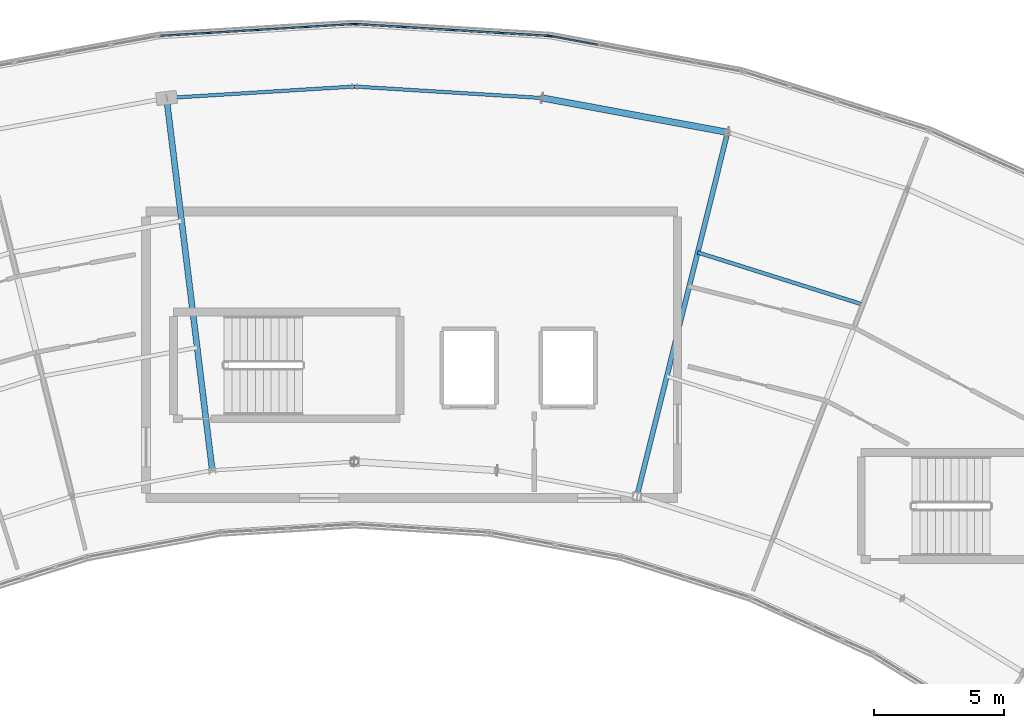
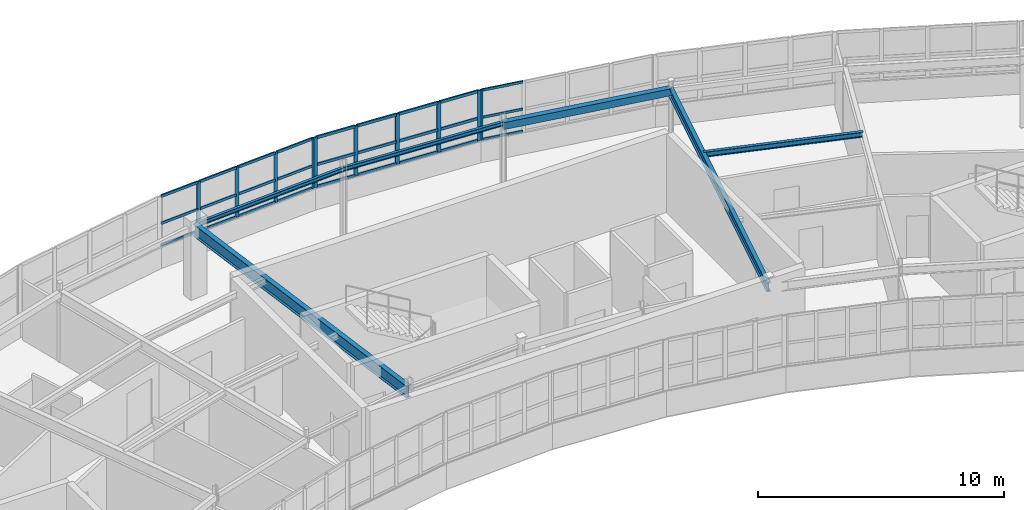
# One storey, part 32 of 60: 37 members, 6 beams, 3 elements without a shape of their own.
"""IFC4 building model written with IfcOpenShell, lengths in metres."""

from ifc_helpers import new_model, si_unit, direction, frame, origin, origin_2d, place, context, subcontext, project, spatial, rectangle, hollow_rectangle, i_section, extrude, material, layer, layer_set, material_profile, profile_set, type_object, element, aggregate, save


model = new_model("IFC4")

# Units and contexts
model_context = context("Model", 3, precision=1e-05, world=origin(), true_north=direction((0.0, 1.0)))
body_context = subcontext(model_context, "Body", "Model", "MODEL_VIEW")
ifc_project = project(units=[si_unit("LENGTHUNIT", "METRE"), si_unit("AREAUNIT", "SQUARE_METRE"), si_unit("VOLUMEUNIT", "CUBIC_METRE"), si_unit("PLANEANGLEUNIT", "RADIAN"), si_unit("MASSUNIT", "GRAM", prefix="KILO")], contexts=[model_context])

# Site, building, storey
site_placement = place(None, origin())
site = spatial("IfcSite", under=ifc_project, at=site_placement, CompositionType="ELEMENT")
building_placement = place(site_placement, origin())
building = spatial("IfcBuilding", under=site, at=building_placement, Name="Tarnwether General Hospital", CompositionType="ELEMENT")
storey_placement = place(building_placement, frame((0.0, 0.0, 26.10009765625)))
storey = spatial("IfcBuildingStorey", under=building, at=storey_placement, Name="L06", CompositionType="ELEMENT", Elevation=26.10009765625)

# Beams
ifc_material_1 = material(Name="Steel Grade 350 (350 MPa)", Category="steel")
ifc_material_profile_1 = material_profile(ifc_material_1, i_section(OverallWidth=0.22802734375, OverallDepth=0.60205078125, WebThickness=0.010498046875, FlangeThickness=0.014892578125, at=origin_2d()), Name="610UB101")
ifc_profile_set_1 = profile_set([ifc_material_profile_1], Name="Steel Grade 350 (350 MPa)")
beam_type_1 = type_object("IfcBeamType", Name="BM-G05", PredefinedType="BEAM", material=ifc_profile_set_1)
beam_1_placement = place(storey_placement, frame((84.784912109375, 121.759033203125, 3.243896484375), z_axis=(0.121881045946, -0.99254471468, 0.0), x_axis=(0.99254471468, 0.121881045946, 0.0)))
element("IfcBeam", 1, at=beam_1_placement, inside=storey, type_object=beam_type_1, Name="Curved Ward NW Radial Girder BMG-L06-8478_12176-8654_10747-2016", PredefinedType="BEAM", context=body_context, shape_type="SweptSolid", body=[
    extrude(i_section(OverallWidth=0.22802734375, OverallDepth=0.60205078125, WebThickness=0.010498046875, FlangeThickness=0.014892578125, at=origin_2d()), origin(), (0.0, 0.0, 1.0), 14.400390625),
])
ifc_material_2 = material(Name="Steel Grade 350 (350 MPa)", Category="steel")
ifc_material_profile_2 = material_profile(ifc_material_2, i_section(OverallWidth=0.19091796875, OverallDepth=0.4599609375, WebThickness=0.010009765625, FlangeThickness=0.01611328125, at=origin_2d()), Name="460UB82.1")
ifc_profile_set_2 = profile_set([ifc_material_profile_2], Name="Steel Grade 350 (350 MPa)")
beam_type_2 = type_object("IfcBeamType", Name="BM-G08", PredefinedType="BEAM", material=ifc_profile_set_2)
beam_2_placement = place(storey_placement, frame((106.322021484375, 120.44189453125, 3.31494140625), z_axis=(-0.241941215118, -0.970290909175, 0.0), x_axis=(0.970290909175, -0.241941215118, 0.0)))
element("IfcBeam", 2, at=beam_2_placement, inside=storey, type_object=beam_type_2, Name="Curved Ward NW Radial Girder BMG-L06-10632_12044-10284_10647-2017", PredefinedType="BEAM", context=body_context, shape_type="SweptSolid", body=[
    extrude(i_section(OverallWidth=0.19091796875, OverallDepth=0.4599609375, WebThickness=0.010009765625, FlangeThickness=0.01611328125, at=origin_2d()), origin(), (0.0, 0.0, 1.0), 14.400634765625),
])
ifc_material_3 = material(Name="Steel Grade 350 (350 MPa)", Category="steel")
ifc_material_profile_3 = material_profile(ifc_material_3, i_section(OverallWidth=0.14599609375, OverallDepth=0.256103515625, WebThickness=0.00634765625, FlangeThickness=0.010986328125, at=origin_2d()), Name="250UB37.3")
ifc_profile_set_3 = profile_set([ifc_material_profile_3], Name="Steel Grade 350 (350 MPa)")
beam_type_3 = type_object("IfcBeamType", Name="BM-J09", PredefinedType="JOIST", material=ifc_profile_set_3)
beam_3_placement = place(storey_placement, frame((105.172119140625, 115.8310546875, 3.4169921875), z_axis=(0.953671429399, -0.300850136693, 0.0), x_axis=(0.300850136693, 0.953671429399, 0.0)))
element("IfcBeam", 3, at=beam_3_placement, inside=storey, type_object=beam_type_3, Name="Curved Ward NW Chord Joist BMG-L06-10517_11583-11151_11383-2039", PredefinedType="JOIST", context=body_context, shape_type="SweptSolid", body=[
    extrude(i_section(OverallWidth=0.14599609375, OverallDepth=0.256103515625, WebThickness=0.00634765625, FlangeThickness=0.010986328125, at=origin_2d()), origin(), (0.0, 0.0, 1.0), 6.64794921875),
])
ifc_material_4 = material(Name="Steel Grade 350 (350 MPa)", Category="steel")
ifc_material_profile_4 = material_profile(ifc_material_4, i_section(OverallWidth=0.133056640625, OverallDepth=0.202880859375, WebThickness=0.005859375, FlangeThickness=0.0078125, at=origin_2d()), Name="200UB25.4")
ifc_profile_set_4 = profile_set([ifc_material_profile_4], Name="Steel Grade 350 (350 MPa)")
beam_type_4 = type_object("IfcBeamType", Name="BM-SP5", PredefinedType="SPANDREL", material=ifc_profile_set_4)
beam_4_placement = place(storey_placement, frame((84.784912109375, 121.759033203125, 3.443359375), z_axis=(0.998137964221, 0.060996757127, 0.0), x_axis=(-0.060996757127, 0.998137964221, 0.0)))
element("IfcBeam", 4, at=beam_4_placement, inside=storey, type_object=beam_type_4, Name="Curved Ward NW Outer Spandrel BMG-L06-8478_12176-9200_12220-2031", PredefinedType="SPANDREL", context=body_context, shape_type="SweptSolid", body=[
    extrude(i_section(OverallWidth=0.133056640625, OverallDepth=0.202880859375, WebThickness=0.005859375, FlangeThickness=0.0078125, at=origin_2d()), origin(), (0.0, 0.0, 1.0), 7.228515625),
])
ifc_material_5 = material(Name="Steel Grade 350 (350 MPa)", Category="steel")
ifc_material_profile_5 = material_profile(ifc_material_5, i_section(OverallWidth=0.133056640625, OverallDepth=0.201904296875, WebThickness=0.0048828125, FlangeThickness=0.007080078125, at=origin_2d()), Name="200UB22.3")
ifc_profile_set_5 = profile_set([ifc_material_profile_5], Name="Steel Grade 350 (350 MPa)")
beam_type_5 = type_object("IfcBeamType", Name="BM-SP6", PredefinedType="SPANDREL", material=ifc_profile_set_5)
beam_5_placement = place(storey_placement, frame((92.0, 122.199951171875, 3.44384765625), z_axis=(0.998137964221, -0.060996757127, 0.0), x_axis=(0.060996757127, 0.998137964221, 0.0)))
element("IfcBeam", 5, at=beam_5_placement, inside=storey, type_object=beam_type_5, Name="Curved Ward NW Outer Spandrel BMG-L06-9200_12220-9922_12176-2033", PredefinedType="SPANDREL", context=body_context, shape_type="SweptSolid", body=[
    extrude(i_section(OverallWidth=0.133056640625, OverallDepth=0.201904296875, WebThickness=0.0048828125, FlangeThickness=0.007080078125, at=origin_2d()), origin(), (0.0, 0.0, 1.0), 7.228515625),
])
ifc_material_6 = material(Name="Steel Grade C350L0 (350 MPa)", Category="steel")
ifc_material_profile_6 = material_profile(ifc_material_6, hollow_rectangle(XDim=0.25, YDim=0.35009765625, WallThickness=0.012451171875, at=origin_2d()), Name="RHS350x250x12.5")
ifc_profile_set_6 = profile_set([ifc_material_profile_6], Name="Steel Grade C350L0 (350 MPa)")
beam_type_6 = type_object("IfcBeamType", Name="BM-SP7", PredefinedType="SPANDREL", material=ifc_profile_set_6)
beam_6_placement = place(storey_placement, frame((99.215087890625, 121.759033203125, 3.369873046875), z_axis=(0.98325623662, -0.182228354399, 0.0), x_axis=(0.182228354399, 0.98325623662, 0.0)))
element("IfcBeam", 6, at=beam_6_placement, inside=storey, type_object=beam_type_6, Name="Curved Ward NW Outer Spandrel BMG-L06-9922_12176-10632_12044-2035", PredefinedType="SPANDREL", context=body_context, shape_type="SweptSolid", body=[
    extrude(hollow_rectangle(XDim=0.25, YDim=0.35009765625, WallThickness=0.012451171875, at=origin_2d()), origin(), (0.0, 0.0, 1.0), 7.22802734375),
])

# Curtain wall, member
ifc_material_7 = material(Name="Anodised aluminium", Category="aluminium")
ifc_layer = layer(ifc_material_7, 0.179931640625)
ifc_layer_set = layer_set([ifc_layer], Name="Anodised aluminium")
curtain_wall_type = type_object("IfcCurtainWallType", Name="CW-06", PredefinedType="NOTDEFINED", material=ifc_layer_set)
curtain_wall_1_placement = place(storey_placement, origin())
curtain_wall_1 = element("IfcCurtainWall", 7, at=curtain_wall_1_placement, inside=storey, type_object=curtain_wall_type, Name="Curtain Wall CWG-L06-995_1241-0121", PredefinedType="NOTDEFINED")
ifc_material_8 = material(Name="Anodised aluminium", Category="aluminium")
ifc_material_profile_7 = material_profile(ifc_material_8, rectangle(XDim=0.06005859375, YDim=0.159912109375, at=origin_2d()), Name="ALU-MUL-60x160")
ifc_profile_set_7 = profile_set([ifc_material_profile_7], Name="Anodised aluminium")
member_type_1 = type_object("IfcMemberType", Name="CW-ML1", PredefinedType="MULLION", material=ifc_profile_set_7)
member_1_placement = place(storey_placement, frame((99.536376953125, 124.135498046875, 1.0498046875), z_axis=(0.0, 0.0, 1.0), x_axis=(0.182289226614, 0.983244953132, 0.0)))
member_1 = element("IfcMember", 8, at=member_1_placement, type_object=member_type_1, Name="CW-06 mullion 1", PredefinedType="MULLION", context=body_context, shape_type="SweptSolid", body=[
    extrude(rectangle(XDim=0.06005859375, YDim=0.159912109375, at=origin_2d()), origin(), (0.0, 0.0, 1.0), 2.4951171875),
])

# Curtain wall, members
curtain_wall_2_placement = place(storey_placement, origin())
curtain_wall_2 = element("IfcCurtainWall", 9, at=curtain_wall_2_placement, inside=storey, type_object=curtain_wall_type, Name="Curtain Wall CWG-L06-920_1246-0122", PredefinedType="NOTDEFINED")
ifc_material_9 = material(Name="Anodised aluminium", Category="aluminium")
ifc_material_profile_8 = material_profile(ifc_material_9, rectangle(XDim=0.070068359375, YDim=0.179931640625, at=origin_2d()), Name="ALU-MUL-70x180")
ifc_profile_set_8 = profile_set([ifc_material_profile_8], Name="Anodised aluminium")
member_type_2 = type_object("IfcMemberType", Name="CW-ML2", PredefinedType="MULLION", material=ifc_profile_set_8)
member_2_placement = place(storey_placement, frame((92.034912109375, 124.597900390625, 1.0498046875), z_axis=(0.0, 0.0, 1.0), x_axis=(0.061028962567, 0.998135995608, 0.0)))
member_2 = element("IfcMember", 10, at=member_2_placement, type_object=member_type_2, Name="CW-06 mullion 1", PredefinedType="MULLION", context=body_context, shape_type="SweptSolid", body=[
    extrude(rectangle(XDim=0.070068359375, YDim=0.179931640625, at=origin_2d()), origin(), (0.0, 0.0, 1.0), 2.4951171875),
])
member_3_placement = place(storey_placement, frame((93.876708984375, 124.4853515625, 1.0498046875), z_axis=(0.0, 0.0, 1.0), x_axis=(0.061028962567, 0.998135995608, 0.0)))
member_3 = element("IfcMember", 11, at=member_3_placement, type_object=member_type_2, Name="CW-06 mullion 2", PredefinedType="MULLION", context=body_context, shape_type="SweptSolid", body=[
    extrude(rectangle(XDim=0.070068359375, YDim=0.179931640625, at=origin_2d()), origin(), (0.0, 0.0, 1.0), 2.4951171875),
])
member_4_placement = place(storey_placement, frame((95.75341796875, 124.37060546875, 1.0498046875), z_axis=(0.0, 0.0, 1.0), x_axis=(0.061028962567, 0.998135995608, 0.0)))
member_4 = element("IfcMember", 12, at=member_4_placement, type_object=member_type_2, Name="CW-06 mullion 3", PredefinedType="MULLION", context=body_context, shape_type="SweptSolid", body=[
    extrude(rectangle(XDim=0.070068359375, YDim=0.179931640625, at=origin_2d()), origin(), (0.0, 0.0, 1.0), 2.4951171875),
])
member_5_placement = place(storey_placement, frame((97.63037109375, 124.255859375, 1.0498046875), z_axis=(0.0, 0.0, 1.0), x_axis=(0.061028962567, 0.998135995608, 0.0)))
member_5 = element("IfcMember", 13, at=member_5_placement, type_object=member_type_2, Name="CW-06 mullion 4", PredefinedType="MULLION", context=body_context, shape_type="SweptSolid", body=[
    extrude(rectangle(XDim=0.070068359375, YDim=0.179931640625, at=origin_2d()), origin(), (0.0, 0.0, 1.0), 2.4951171875),
])
member_6_placement = place(storey_placement, frame((99.47216796875, 124.14306640625, 1.0498046875), z_axis=(0.0, 0.0, 1.0), x_axis=(0.061028962567, 0.998135995608, 0.0)))
member_6 = element("IfcMember", 14, at=member_6_placement, type_object=member_type_2, Name="CW-06 mullion 5", PredefinedType="MULLION", context=body_context, shape_type="SweptSolid", body=[
    extrude(rectangle(XDim=0.070068359375, YDim=0.179931640625, at=origin_2d()), origin(), (0.0, 0.0, 1.0), 2.4951171875),
])

curtain_wall_3_placement = place(storey_placement, origin())
curtain_wall_3 = element("IfcCurtainWall", 15, at=curtain_wall_3_placement, inside=storey, type_object=curtain_wall_type, Name="Curtain Wall CWG-L06-845_1241-0123", PredefinedType="NOTDEFINED")
ifc_material_10 = material(Name="Anodised aluminium", Category="aluminium")
ifc_material_profile_9 = material_profile(ifc_material_10, rectangle(XDim=0.06494140625, YDim=0.169921875, at=origin_2d()), Name="ALU-MUL-65x170")
ifc_profile_set_9 = profile_set([ifc_material_profile_9], Name="Anodised aluminium")
member_type_3 = type_object("IfcMemberType", Name="CW-ML3", PredefinedType="MULLION", material=ifc_profile_set_9)
member_7_placement = place(storey_placement, frame((86.36962890625, 124.255859375, 1.0498046875), z_axis=(0.0, 0.0, 1.0), x_axis=(-0.061028962567, 0.998135995608, 0.0)))
member_7 = element("IfcMember", 16, at=member_7_placement, type_object=member_type_3, Name="CW-06 mullion 2", PredefinedType="MULLION", context=body_context, shape_type="SweptSolid", body=[
    extrude(rectangle(XDim=0.06494140625, YDim=0.169921875, at=origin_2d()), origin(), (0.0, 0.0, 1.0), 2.4951171875),
])
member_8_placement = place(storey_placement, frame((88.24658203125, 124.37060546875, 1.0498046875), z_axis=(0.0, 0.0, 1.0), x_axis=(-0.061028962567, 0.998135995608, 0.0)))
member_8 = element("IfcMember", 17, at=member_8_placement, type_object=member_type_3, Name="CW-06 mullion 3", PredefinedType="MULLION", context=body_context, shape_type="SweptSolid", body=[
    extrude(rectangle(XDim=0.06494140625, YDim=0.169921875, at=origin_2d()), origin(), (0.0, 0.0, 1.0), 2.4951171875),
])
member_9_placement = place(storey_placement, frame((90.123291015625, 124.4853515625, 1.0498046875), z_axis=(0.0, 0.0, 1.0), x_axis=(-0.061028962567, 0.998135995608, 0.0)))
member_9 = element("IfcMember", 18, at=member_9_placement, type_object=member_type_3, Name="CW-06 mullion 4", PredefinedType="MULLION", context=body_context, shape_type="SweptSolid", body=[
    extrude(rectangle(XDim=0.06494140625, YDim=0.169921875, at=origin_2d()), origin(), (0.0, 0.0, 1.0), 2.4951171875),
])
member_10_placement = place(storey_placement, frame((91.967529296875, 124.597900390625, 1.0498046875), z_axis=(0.0, 0.0, 1.0), x_axis=(-0.061028962567, 0.998135995608, 0.0)))
member_10 = element("IfcMember", 19, at=member_10_placement, type_object=member_type_3, Name="CW-06 mullion 5", PredefinedType="MULLION", context=body_context, shape_type="SweptSolid", body=[
    extrude(rectangle(XDim=0.06494140625, YDim=0.169921875, at=origin_2d()), origin(), (0.0, 0.0, 1.0), 2.4951171875),
])

# Member
ifc_material_11 = material(Name="Anodised aluminium", Category="aluminium")
ifc_material_profile_10 = material_profile(ifc_material_11, rectangle(XDim=0.06005859375, YDim=0.1201171875, at=origin_2d()), Name="ALU-TRN-60x120")
ifc_profile_set_10 = profile_set([ifc_material_profile_10], Name="Anodised aluminium")
member_type_4 = type_object("IfcMemberType", Name="CW-TR1", PredefinedType="USERDEFINED", material=ifc_profile_set_10)
member_11_placement = place(storey_placement, frame((99.56591796875, 124.130126953125, 1.079833984375), z_axis=(0.983237664214, -0.182328537733, 0.0), x_axis=(0.182328537733, 0.983237664214, 0.0)))
member_11 = element("IfcMember", 20, at=member_11_placement, type_object=member_type_4, Name="CW-06 transom 1.1", ObjectType="TRANSOM", PredefinedType="USERDEFINED", context=body_context, shape_type="SweptSolid", body=[
    extrude(rectangle(XDim=0.06005859375, YDim=0.1201171875, at=origin_2d()), origin(), (0.0, 0.0, 1.0), 1.790283203125),
])

member_12_placement = place(storey_placement, frame((99.56591796875, 124.130126953125, 2.172607421875), z_axis=(0.983237664214, -0.182328537733, 0.0), x_axis=(0.182328537733, 0.983237664214, 0.0)))
member_12 = element("IfcMember", 21, at=member_12_placement, type_object=member_type_4, Name="CW-06 transom 1.2", ObjectType="TRANSOM", PredefinedType="USERDEFINED", context=body_context, shape_type="SweptSolid", body=[
    extrude(rectangle(XDim=0.06005859375, YDim=0.1201171875, at=origin_2d()), origin(), (0.0, 0.0, 1.0), 1.790283203125),
])

member_13_placement = place(storey_placement, frame((99.56591796875, 124.130126953125, 3.514892578125), z_axis=(0.983237664214, -0.182328537733, 0.0), x_axis=(0.182328537733, 0.983237664214, 0.0)))
member_13 = element("IfcMember", 22, at=member_13_placement, type_object=member_type_4, Name="CW-06 transom 1.3", ObjectType="TRANSOM", PredefinedType="USERDEFINED", context=body_context, shape_type="SweptSolid", body=[
    extrude(rectangle(XDim=0.06005859375, YDim=0.1201171875, at=origin_2d()), origin(), (0.0, 0.0, 1.0), 1.790283203125),
])

aggregate(curtain_wall_1, [member_1, member_11, member_12, member_13])

ifc_material_12 = material(Name="Anodised aluminium", Category="aluminium")
ifc_material_profile_11 = material_profile(ifc_material_12, rectangle(XDim=0.070068359375, YDim=0.139892578125, at=origin_2d()), Name="ALU-TRN-70x140")
ifc_profile_set_11 = profile_set([ifc_material_profile_11], Name="Anodised aluminium")
member_type_5 = type_object("IfcMemberType", Name="CW-TR2", PredefinedType="USERDEFINED", material=ifc_profile_set_11)
member_14_placement = place(storey_placement, frame((92.06982421875, 124.595703125, 1.0849609375), z_axis=(0.9981341137, -0.061059733602, 0.0), x_axis=(0.061059733602, 0.9981341137, 0.0)))
member_14 = element("IfcMember", 23, at=member_14_placement, type_object=member_type_5, Name="CW-06 transom 1.1", ObjectType="TRANSOM", PredefinedType="USERDEFINED", context=body_context, shape_type="SweptSolid", body=[
    extrude(rectangle(XDim=0.070068359375, YDim=0.139892578125, at=origin_2d()), origin(), (0.0, 0.0, 1.0), 1.775390625),
])

member_15_placement = place(storey_placement, frame((92.06982421875, 124.595703125, 2.172607421875), z_axis=(0.9981341137, -0.061059733602, 0.0), x_axis=(0.061059733602, 0.9981341137, 0.0)))
member_15 = element("IfcMember", 24, at=member_15_placement, type_object=member_type_5, Name="CW-06 transom 1.2", ObjectType="TRANSOM", PredefinedType="USERDEFINED", context=body_context, shape_type="SweptSolid", body=[
    extrude(rectangle(XDim=0.070068359375, YDim=0.139892578125, at=origin_2d()), origin(), (0.0, 0.0, 1.0), 1.775390625),
])

member_16_placement = place(storey_placement, frame((92.06982421875, 124.595703125, 3.510009765625), z_axis=(0.9981341137, -0.061059733602, 0.0), x_axis=(0.061059733602, 0.9981341137, 0.0)))
member_16 = element("IfcMember", 25, at=member_16_placement, type_object=member_type_5, Name="CW-06 transom 1.3", ObjectType="TRANSOM", PredefinedType="USERDEFINED", context=body_context, shape_type="SweptSolid", body=[
    extrude(rectangle(XDim=0.070068359375, YDim=0.139892578125, at=origin_2d()), origin(), (0.0, 0.0, 1.0), 1.775390625),
])

member_17_placement = place(storey_placement, frame((93.91162109375, 124.483154296875, 1.0849609375), z_axis=(0.998132040716, -0.061093610923, 0.0), x_axis=(0.061093610923, 0.998132040716, 0.0)))
member_17 = element("IfcMember", 26, at=member_17_placement, type_object=member_type_5, Name="CW-06 transom 2.1", ObjectType="TRANSOM", PredefinedType="USERDEFINED", context=body_context, shape_type="SweptSolid", body=[
    extrude(rectangle(XDim=0.070068359375, YDim=0.139892578125, at=origin_2d()), origin(), (0.0, 0.0, 1.0), 1.810302734375),
])

member_18_placement = place(storey_placement, frame((93.91162109375, 124.483154296875, 2.172607421875), z_axis=(0.998132040716, -0.061093610923, 0.0), x_axis=(0.061093610923, 0.998132040716, 0.0)))
member_18 = element("IfcMember", 27, at=member_18_placement, type_object=member_type_5, Name="CW-06 transom 2.2", ObjectType="TRANSOM", PredefinedType="USERDEFINED", context=body_context, shape_type="SweptSolid", body=[
    extrude(rectangle(XDim=0.070068359375, YDim=0.139892578125, at=origin_2d()), origin(), (0.0, 0.0, 1.0), 1.810302734375),
])

member_19_placement = place(storey_placement, frame((93.91162109375, 124.483154296875, 3.510009765625), z_axis=(0.998132040716, -0.061093610923, 0.0), x_axis=(0.061093610923, 0.998132040716, 0.0)))
member_19 = element("IfcMember", 28, at=member_19_placement, type_object=member_type_5, Name="CW-06 transom 2.3", ObjectType="TRANSOM", PredefinedType="USERDEFINED", context=body_context, shape_type="SweptSolid", body=[
    extrude(rectangle(XDim=0.070068359375, YDim=0.139892578125, at=origin_2d()), origin(), (0.0, 0.0, 1.0), 1.810302734375),
])

member_20_placement = place(storey_placement, frame((95.788330078125, 124.368408203125, 1.0849609375), z_axis=(0.998132040716, -0.061093610923, 0.0), x_axis=(0.061093610923, 0.998132040716, 0.0)))
member_20 = element("IfcMember", 29, at=member_20_placement, type_object=member_type_5, Name="CW-06 transom 3.1", ObjectType="TRANSOM", PredefinedType="USERDEFINED", context=body_context, shape_type="SweptSolid", body=[
    extrude(rectangle(XDim=0.070068359375, YDim=0.139892578125, at=origin_2d()), origin(), (0.0, 0.0, 1.0), 1.810302734375),
])

member_21_placement = place(storey_placement, frame((95.788330078125, 124.368408203125, 2.172607421875), z_axis=(0.998132040716, -0.061093610923, 0.0), x_axis=(0.061093610923, 0.998132040716, 0.0)))
member_21 = element("IfcMember", 30, at=member_21_placement, type_object=member_type_5, Name="CW-06 transom 3.2", ObjectType="TRANSOM", PredefinedType="USERDEFINED", context=body_context, shape_type="SweptSolid", body=[
    extrude(rectangle(XDim=0.070068359375, YDim=0.139892578125, at=origin_2d()), origin(), (0.0, 0.0, 1.0), 1.810302734375),
])

member_22_placement = place(storey_placement, frame((95.788330078125, 124.368408203125, 3.510009765625), z_axis=(0.998132040716, -0.061093610923, 0.0), x_axis=(0.061093610923, 0.998132040716, 0.0)))
member_22 = element("IfcMember", 31, at=member_22_placement, type_object=member_type_5, Name="CW-06 transom 3.3", ObjectType="TRANSOM", PredefinedType="USERDEFINED", context=body_context, shape_type="SweptSolid", body=[
    extrude(rectangle(XDim=0.070068359375, YDim=0.139892578125, at=origin_2d()), origin(), (0.0, 0.0, 1.0), 1.810302734375),
])

member_23_placement = place(storey_placement, frame((97.665283203125, 124.253662109375, 1.0849609375), z_axis=(0.998133600873, -0.061068116134, 0.0), x_axis=(0.061068116134, 0.998133600873, 0.0)))
member_23 = element("IfcMember", 32, at=member_23_placement, type_object=member_type_5, Name="CW-06 transom 4.1", ObjectType="TRANSOM", PredefinedType="USERDEFINED", context=body_context, shape_type="SweptSolid", body=[
    extrude(rectangle(XDim=0.070068359375, YDim=0.139892578125, at=origin_2d()), origin(), (0.0, 0.0, 1.0), 1.775146484375),
])

member_24_placement = place(storey_placement, frame((97.665283203125, 124.253662109375, 2.172607421875), z_axis=(0.998133600873, -0.061068116134, 0.0), x_axis=(0.061068116134, 0.998133600873, 0.0)))
member_24 = element("IfcMember", 33, at=member_24_placement, type_object=member_type_5, Name="CW-06 transom 4.2", ObjectType="TRANSOM", PredefinedType="USERDEFINED", context=body_context, shape_type="SweptSolid", body=[
    extrude(rectangle(XDim=0.070068359375, YDim=0.139892578125, at=origin_2d()), origin(), (0.0, 0.0, 1.0), 1.775146484375),
])

member_25_placement = place(storey_placement, frame((97.665283203125, 124.253662109375, 3.510009765625), z_axis=(0.998133600873, -0.061068116134, 0.0), x_axis=(0.061068116134, 0.998133600873, 0.0)))
member_25 = element("IfcMember", 34, at=member_25_placement, type_object=member_type_5, Name="CW-06 transom 4.3", ObjectType="TRANSOM", PredefinedType="USERDEFINED", context=body_context, shape_type="SweptSolid", body=[
    extrude(rectangle(XDim=0.070068359375, YDim=0.139892578125, at=origin_2d()), origin(), (0.0, 0.0, 1.0), 1.775146484375),
])

aggregate(curtain_wall_2, [member_2, member_3, member_4, member_5, member_6, member_14, member_15, member_16, member_17, member_18, member_19, member_20, member_21, member_22, member_23, member_24, member_25])

ifc_material_13 = material(Name="Anodised aluminium", Category="aluminium")
ifc_material_profile_12 = material_profile(ifc_material_13, rectangle(XDim=0.06494140625, YDim=0.1298828125, at=origin_2d()), Name="ALU-TRN-65x130")
ifc_profile_set_12 = profile_set([ifc_material_profile_12], Name="Anodised aluminium")
member_type_6 = type_object("IfcMemberType", Name="CW-TR3", PredefinedType="USERDEFINED", material=ifc_profile_set_12)
member_26_placement = place(storey_placement, frame((84.557861328125, 124.14501953125, 1.08251953125), z_axis=(0.998141587302, 0.060937440849, 0.0), x_axis=(-0.060937440849, 0.998141587302, 0.0)))
member_26 = element("IfcMember", 35, at=member_26_placement, type_object=member_type_6, Name="CW-06 transom 1.1", ObjectType="TRANSOM", PredefinedType="USERDEFINED", context=body_context, shape_type="SweptSolid", body=[
    extrude(rectangle(XDim=0.06494140625, YDim=0.1298828125, at=origin_2d()), origin(), (0.0, 0.0, 1.0), 1.782958984375),
])

member_27_placement = place(storey_placement, frame((84.557861328125, 124.14501953125, 2.172607421875), z_axis=(0.998141587302, 0.060937440849, 0.0), x_axis=(-0.060937440849, 0.998141587302, 0.0)))
member_27 = element("IfcMember", 36, at=member_27_placement, type_object=member_type_6, Name="CW-06 transom 1.2", ObjectType="TRANSOM", PredefinedType="USERDEFINED", context=body_context, shape_type="SweptSolid", body=[
    extrude(rectangle(XDim=0.06494140625, YDim=0.1298828125, at=origin_2d()), origin(), (0.0, 0.0, 1.0), 1.782958984375),
])

member_28_placement = place(storey_placement, frame((84.557861328125, 124.14501953125, 3.512451171875), z_axis=(0.998141587302, 0.060937440849, 0.0), x_axis=(-0.060937440849, 0.998141587302, 0.0)))
member_28 = element("IfcMember", 37, at=member_28_placement, type_object=member_type_6, Name="CW-06 transom 1.3", ObjectType="TRANSOM", PredefinedType="USERDEFINED", context=body_context, shape_type="SweptSolid", body=[
    extrude(rectangle(XDim=0.06494140625, YDim=0.1298828125, at=origin_2d()), origin(), (0.0, 0.0, 1.0), 1.782958984375),
])

member_29_placement = place(storey_placement, frame((86.402099609375, 124.2578125, 1.08251953125), z_axis=(0.998142566876, 0.060921393532, 0.0), x_axis=(-0.060921393532, 0.998142566876, 0.0)))
member_29 = element("IfcMember", 38, at=member_29_placement, type_object=member_type_6, Name="CW-06 transom 2.1", ObjectType="TRANSOM", PredefinedType="USERDEFINED", context=body_context, shape_type="SweptSolid", body=[
    extrude(rectangle(XDim=0.06494140625, YDim=0.1298828125, at=origin_2d()), origin(), (0.0, 0.0, 1.0), 1.8154296875),
])

member_30_placement = place(storey_placement, frame((86.402099609375, 124.2578125, 2.172607421875), z_axis=(0.998142566876, 0.060921393532, 0.0), x_axis=(-0.060921393532, 0.998142566876, 0.0)))
member_30 = element("IfcMember", 39, at=member_30_placement, type_object=member_type_6, Name="CW-06 transom 2.2", ObjectType="TRANSOM", PredefinedType="USERDEFINED", context=body_context, shape_type="SweptSolid", body=[
    extrude(rectangle(XDim=0.06494140625, YDim=0.1298828125, at=origin_2d()), origin(), (0.0, 0.0, 1.0), 1.8154296875),
])

member_31_placement = place(storey_placement, frame((86.402099609375, 124.2578125, 3.512451171875), z_axis=(0.998142566876, 0.060921393532, 0.0), x_axis=(-0.060921393532, 0.998142566876, 0.0)))
member_31 = element("IfcMember", 40, at=member_31_placement, type_object=member_type_6, Name="CW-06 transom 2.3", ObjectType="TRANSOM", PredefinedType="USERDEFINED", context=body_context, shape_type="SweptSolid", body=[
    extrude(rectangle(XDim=0.06494140625, YDim=0.1298828125, at=origin_2d()), origin(), (0.0, 0.0, 1.0), 1.8154296875),
])

member_32_placement = place(storey_placement, frame((88.279052734375, 124.37255859375, 1.08251953125), z_axis=(0.998142067648, 0.060929572382, 0.0), x_axis=(-0.060929572382, 0.998142067648, 0.0)))
member_32 = element("IfcMember", 41, at=member_32_placement, type_object=member_type_6, Name="CW-06 transom 3.1", ObjectType="TRANSOM", PredefinedType="USERDEFINED", context=body_context, shape_type="SweptSolid", body=[
    extrude(rectangle(XDim=0.06494140625, YDim=0.1298828125, at=origin_2d()), origin(), (0.0, 0.0, 1.0), 1.815185546875),
])

member_33_placement = place(storey_placement, frame((88.279052734375, 124.37255859375, 2.172607421875), z_axis=(0.998142067648, 0.060929572382, 0.0), x_axis=(-0.060929572382, 0.998142067648, 0.0)))
member_33 = element("IfcMember", 42, at=member_33_placement, type_object=member_type_6, Name="CW-06 transom 3.2", ObjectType="TRANSOM", PredefinedType="USERDEFINED", context=body_context, shape_type="SweptSolid", body=[
    extrude(rectangle(XDim=0.06494140625, YDim=0.1298828125, at=origin_2d()), origin(), (0.0, 0.0, 1.0), 1.815185546875),
])

member_34_placement = place(storey_placement, frame((88.279052734375, 124.37255859375, 3.512451171875), z_axis=(0.998142067648, 0.060929572382, 0.0), x_axis=(-0.060929572382, 0.998142067648, 0.0)))
member_34 = element("IfcMember", 43, at=member_34_placement, type_object=member_type_6, Name="CW-06 transom 3.3", ObjectType="TRANSOM", PredefinedType="USERDEFINED", context=body_context, shape_type="SweptSolid", body=[
    extrude(rectangle(XDim=0.06494140625, YDim=0.1298828125, at=origin_2d()), origin(), (0.0, 0.0, 1.0), 1.815185546875),
])

member_35_placement = place(storey_placement, frame((90.15576171875, 124.4873046875, 1.08251953125), z_axis=(0.998141078696, 0.060945771133, 0.0), x_axis=(-0.060945771133, 0.998141078696, 0.0)))
member_35 = element("IfcMember", 44, at=member_35_placement, type_object=member_type_6, Name="CW-06 transom 4.1", ObjectType="TRANSOM", PredefinedType="USERDEFINED", context=body_context, shape_type="SweptSolid", body=[
    extrude(rectangle(XDim=0.06494140625, YDim=0.1298828125, at=origin_2d()), origin(), (0.0, 0.0, 1.0), 1.78271484375),
])

member_36_placement = place(storey_placement, frame((90.15576171875, 124.4873046875, 2.172607421875), z_axis=(0.998141078696, 0.060945771133, 0.0), x_axis=(-0.060945771133, 0.998141078696, 0.0)))
member_36 = element("IfcMember", 45, at=member_36_placement, type_object=member_type_6, Name="CW-06 transom 4.2", ObjectType="TRANSOM", PredefinedType="USERDEFINED", context=body_context, shape_type="SweptSolid", body=[
    extrude(rectangle(XDim=0.06494140625, YDim=0.1298828125, at=origin_2d()), origin(), (0.0, 0.0, 1.0), 1.78271484375),
])

member_37_placement = place(storey_placement, frame((90.15576171875, 124.4873046875, 3.512451171875), z_axis=(0.998141078696, 0.060945771133, 0.0), x_axis=(-0.060945771133, 0.998141078696, 0.0)))
member_37 = element("IfcMember", 46, at=member_37_placement, type_object=member_type_6, Name="CW-06 transom 4.3", ObjectType="TRANSOM", PredefinedType="USERDEFINED", context=body_context, shape_type="SweptSolid", body=[
    extrude(rectangle(XDim=0.06494140625, YDim=0.1298828125, at=origin_2d()), origin(), (0.0, 0.0, 1.0), 1.78271484375),
])

aggregate(curtain_wall_3, [member_7, member_8, member_9, member_10, member_26, member_27, member_28, member_29, member_30, member_31, member_32, member_33, member_34, member_35, member_36, member_37])

save(model, "model.ifc")
